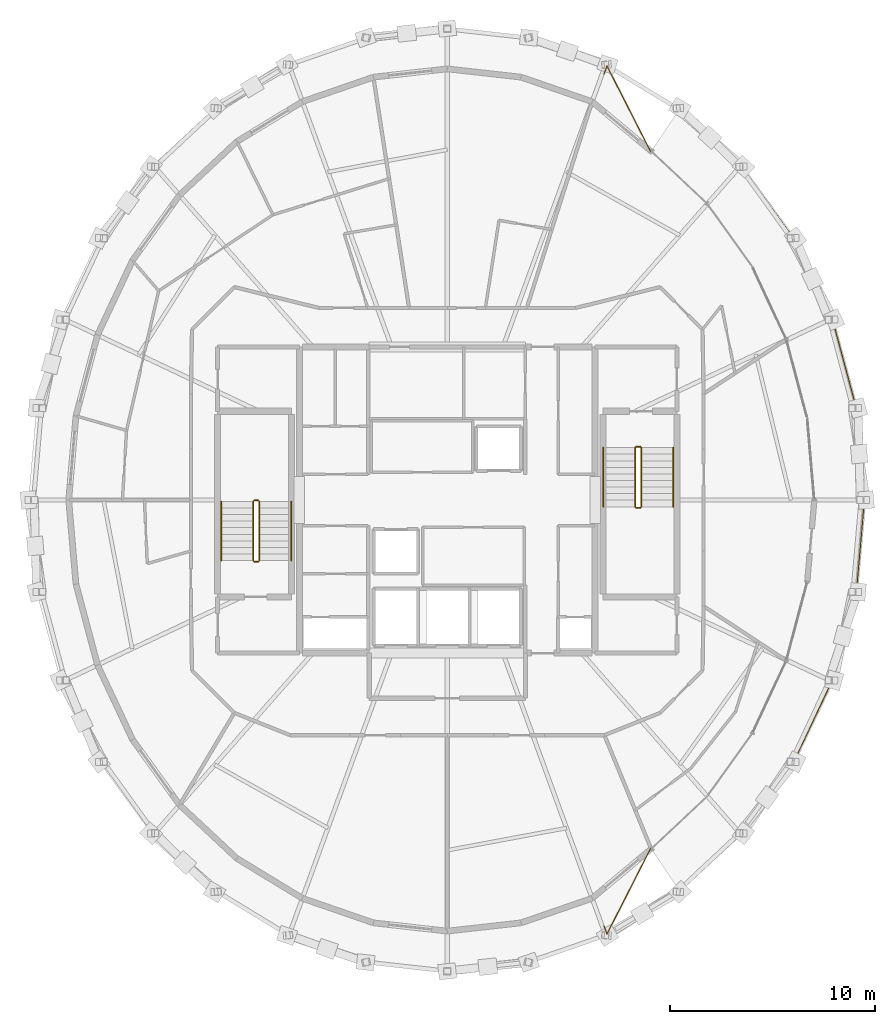
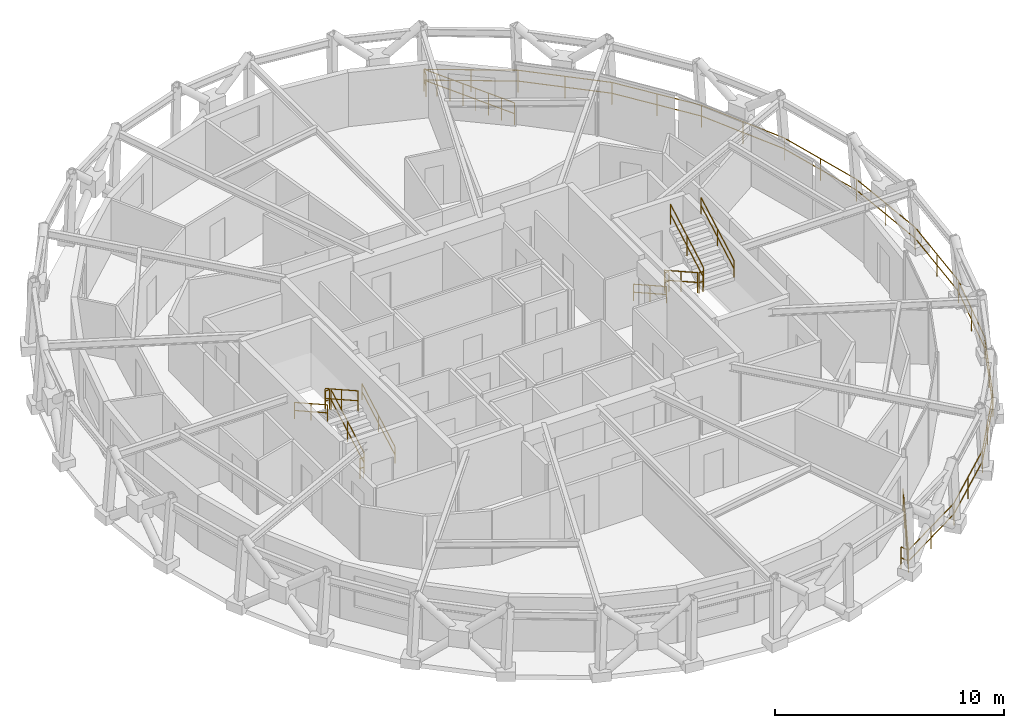
# One storey, part 16 of 16: 15 railings.
"""IFC4 building model written with IfcOpenShell, lengths in metres."""

from ifc_helpers import new_model, si_unit, direction, frame, origin, origin_2d, place, context, subcontext, project, spatial, circle, extrude, material, type_object, element, save


model = new_model("IFC4")

# Units and contexts
model_context = context("Model", 3, precision=1e-05, world=origin(), true_north=direction((0.0, 1.0)))
body_context = subcontext(model_context, "Body", "Model", "MODEL_VIEW")
ifc_project = project(units=[si_unit("LENGTHUNIT", "METRE"), si_unit("AREAUNIT", "SQUARE_METRE"), si_unit("VOLUMEUNIT", "CUBIC_METRE"), si_unit("PLANEANGLEUNIT", "RADIAN"), si_unit("MASSUNIT", "GRAM", prefix="KILO")], contexts=[model_context])

# Site, building, storey
site_placement = place(None, origin())
site = spatial("IfcSite", under=ifc_project, at=site_placement, CompositionType="ELEMENT")
building_placement = place(site_placement, origin())
building = spatial("IfcBuilding", under=site, at=building_placement, Name="Veldorina Hangang Commons", CompositionType="ELEMENT")
storey_placement = place(building_placement, frame((0.0, 0.0, 283.199951171875)))
storey = spatial("IfcBuildingStorey", under=building, at=storey_placement, Name="L74", CompositionType="ELEMENT", Elevation=283.199951171875)

# Railings
ifc_material_1 = material(Name="Glass Laminated Safety Balustrade", Category="glass")
railing_type_1 = type_object("IfcRailingType", Name="RL-BAL-LOGGIA", PredefinedType="BALUSTRADE", material=ifc_material_1)
railing_1_placement = place(storey_placement, frame((39.630126953125, 3.267578125, 0.0)))
element("IfcRailing", 1, at=railing_1_placement, inside=storey, type_object=railing_type_1, Name="L74 sky-garden loggia end balustrade A", PredefinedType="BALUSTRADE", context=body_context, shape_type="SweptSolid", body=[
    extrude(circle(Radius=0.02392578125, at=origin_2d()), frame((0.0, 0.0, 1.17578125), z_axis=(0.345381994725, -0.938462187688, 0.0), x_axis=(0.938462187688, 0.345381994725, 0.0)), (0.0, 0.0, 1.0), 0.419921875),
    extrude(circle(Radius=0.02392578125, at=origin_2d()), frame((0.0, 0.0, 0.60009765625), z_axis=(0.345381994725, -0.938462187688, 0.0), x_axis=(0.938462187688, 0.345381994725, 0.0)), (0.0, 0.0, 1.0), 0.419921875),
    extrude(circle(Radius=0.02392578125, at=origin_2d()), frame((0.14501953125, -0.39404296875, 1.17578125), z_axis=(0.454862398014, 0.890561732208, 0.0), x_axis=(-0.890561732208, 0.454862398014, 0.0)), (0.0, 0.0, 1.0), 4.6884765625),
    extrude(circle(Radius=0.02392578125, at=origin_2d()), frame((0.14501953125, -0.39404296875, 0.60009765625), z_axis=(0.454862398014, 0.890561732208, 0.0), x_axis=(-0.890561732208, 0.454862398014, 0.0)), (0.0, 0.0, 1.0), 4.6884765625),
    extrude(circle(Radius=0.02099609375, at=origin_2d()), origin(), (0.0, 0.0, 1.0), 1.15185546875),
    extrude(circle(Radius=0.02099609375, at=origin_2d()), frame((0.14501953125, -0.39404296875, 0.0)), (0.0, 0.0, 1.0), 1.15185546875),
    extrude(circle(Radius=0.02099609375, at=origin_2d()), frame((0.44970703125, 0.202392578125, 0.0)), (0.0, 0.0, 1.0), 1.15185546875),
    extrude(circle(Radius=0.02099609375, at=origin_2d()), frame((0.75439453125, 0.798828125, 0.0)), (0.0, 0.0, 1.0), 1.15185546875),
    extrude(circle(Radius=0.02099609375, at=origin_2d()), frame((1.05908203125, 1.395263671875, 0.0)), (0.0, 0.0, 1.0), 1.15185546875),
    extrude(circle(Radius=0.02099609375, at=origin_2d()), frame((1.363525390625, 1.991943359375, 0.0)), (0.0, 0.0, 1.0), 1.15185546875),
    extrude(circle(Radius=0.02099609375, at=origin_2d()), frame((1.668212890625, 2.58837890625, 0.0)), (0.0, 0.0, 1.0), 1.15185546875),
    extrude(circle(Radius=0.02099609375, at=origin_2d()), frame((1.972900390625, 3.184814453125, 0.0)), (0.0, 0.0, 1.0), 1.15185546875),
    extrude(circle(Radius=0.02099609375, at=origin_2d()), frame((2.277587890625, 3.78125, 0.0)), (0.0, 0.0, 1.0), 1.15185546875),
])
railing_2_placement = place(storey_placement, frame((39.630126953125, 44.732421875, 0.0)))
element("IfcRailing", 2, at=railing_2_placement, inside=storey, type_object=railing_type_1, Name="L74 sky-garden loggia end balustrade B", PredefinedType="BALUSTRADE", context=body_context, shape_type="SweptSolid", body=[
    extrude(circle(Radius=0.02392578125, at=origin_2d()), frame((0.0, 0.0, 1.17578125), z_axis=(0.345381994725, 0.938462187688, 0.0), x_axis=(-0.938462187688, 0.345381994725, 0.0)), (0.0, 0.0, 1.0), 0.419921875),
    extrude(circle(Radius=0.02392578125, at=origin_2d()), frame((0.0, 0.0, 0.60009765625), z_axis=(0.345381994725, 0.938462187688, 0.0), x_axis=(-0.938462187688, 0.345381994725, 0.0)), (0.0, 0.0, 1.0), 0.419921875),
    extrude(circle(Radius=0.02392578125, at=origin_2d()), frame((0.14501953125, 0.39404296875, 1.17578125), z_axis=(0.454862398014, -0.890561732208, 0.0), x_axis=(0.890561732208, 0.454862398014, 0.0)), (0.0, 0.0, 1.0), 4.6884765625),
    extrude(circle(Radius=0.02392578125, at=origin_2d()), frame((0.14501953125, 0.39404296875, 0.60009765625), z_axis=(0.454862398014, -0.890561732208, 0.0), x_axis=(0.890561732208, 0.454862398014, 0.0)), (0.0, 0.0, 1.0), 4.6884765625),
    extrude(circle(Radius=0.02099609375, at=origin_2d()), origin(), (0.0, 0.0, 1.0), 1.15185546875),
    extrude(circle(Radius=0.02099609375, at=origin_2d()), frame((0.14501953125, 0.39404296875, 0.0)), (0.0, 0.0, 1.0), 1.15185546875),
    extrude(circle(Radius=0.02099609375, at=origin_2d()), frame((0.44970703125, -0.202392578125, 0.0)), (0.0, 0.0, 1.0), 1.15185546875),
    extrude(circle(Radius=0.02099609375, at=origin_2d()), frame((0.75439453125, -0.798828125, 0.0)), (0.0, 0.0, 1.0), 1.15185546875),
    extrude(circle(Radius=0.02099609375, at=origin_2d()), frame((1.05908203125, -1.395263671875, 0.0)), (0.0, 0.0, 1.0), 1.15185546875),
    extrude(circle(Radius=0.02099609375, at=origin_2d()), frame((1.363525390625, -1.991943359375, 0.0)), (0.0, 0.0, 1.0), 1.15185546875),
    extrude(circle(Radius=0.02099609375, at=origin_2d()), frame((1.668212890625, -2.58837890625, 0.0)), (0.0, 0.0, 1.0), 1.15185546875),
    extrude(circle(Radius=0.02099609375, at=origin_2d()), frame((1.972900390625, -3.184814453125, 0.0)), (0.0, 0.0, 1.0), 1.15185546875),
    extrude(circle(Radius=0.02099609375, at=origin_2d()), frame((2.277587890625, -3.78125, 0.0)), (0.0, 0.0, 1.0), 1.15185546875),
])
railing_3_placement = place(storey_placement, frame((39.775146484375, 2.87353515625, 0.0)))
element("IfcRailing", 3, at=railing_3_placement, inside=storey, type_object=railing_type_1, Name="L74 sky-garden loggia outer balustrade", PredefinedType="BALUSTRADE", context=body_context, shape_type="SweptSolid", body=[
    extrude(circle(Radius=0.02392578125, at=origin_2d()), frame((0.0, 0.0, 1.17578125), z_axis=(0.856730003743, 0.515765160404, 0.0), x_axis=(-0.515765160404, 0.856730003743, 0.0)), (0.0, 0.0, 1.0), 4.099365234375),
    extrude(circle(Radius=0.02392578125, at=origin_2d()), frame((0.0, 0.0, 0.60009765625), z_axis=(0.856730003743, 0.515765160404, 0.0), x_axis=(-0.515765160404, 0.856730003743, 0.0)), (0.0, 0.0, 1.0), 4.099365234375),
    extrude(circle(Radius=0.02392578125, at=origin_2d()), frame((3.511962890625, 2.1142578125, 1.17578125), z_axis=(0.734291791588, 0.678833974405, 0.0), x_axis=(-0.678833974405, 0.734291791588, 0.0)), (0.0, 0.0, 1.0), 4.19091796875),
    extrude(circle(Radius=0.02392578125, at=origin_2d()), frame((3.511962890625, 2.1142578125, 0.60009765625), z_axis=(0.734291791588, 0.678833974405, 0.0), x_axis=(-0.678833974405, 0.734291791588, 0.0)), (0.0, 0.0, 1.0), 4.19091796875),
    extrude(circle(Radius=0.02392578125, at=origin_2d()), frame((6.58935546875, 4.959228515625, 1.17578125), z_axis=(0.588828263894, 0.808258173877, 0.0), x_axis=(-0.808258173877, 0.588828263894, 0.0)), (0.0, 0.0, 1.0), 4.2880859375),
    extrude(circle(Radius=0.02392578125, at=origin_2d()), frame((6.58935546875, 4.959228515625, 0.60009765625), z_axis=(0.588828263894, 0.808258173877, 0.0), x_axis=(-0.808258173877, 0.588828263894, 0.0)), (0.0, 0.0, 1.0), 4.2880859375),
    extrude(circle(Radius=0.02392578125, at=origin_2d()), frame((9.1142578125, 8.425048828125, 1.17578125), z_axis=(0.428683474351, 0.903454746414, 0.0), x_axis=(-0.903454746414, 0.428683474351, 0.0)), (0.0, 0.0, 1.0), 4.37548828125),
    extrude(circle(Radius=0.02392578125, at=origin_2d()), frame((9.1142578125, 8.425048828125, 0.60009765625), z_axis=(0.428683474351, 0.903454746414, 0.0), x_axis=(-0.903454746414, 0.428683474351, 0.0)), (0.0, 0.0, 1.0), 4.37548828125),
    extrude(circle(Radius=0.02392578125, at=origin_2d()), frame((10.989990234375, 12.378173828125, 1.17578125), z_axis=(0.25999515702, 0.965609920375, 0.0), x_axis=(-0.965609920375, 0.25999515702, 0.0)), (0.0, 0.0, 1.0), 4.441650390625),
    extrude(circle(Radius=0.02392578125, at=origin_2d()), frame((10.989990234375, 12.378173828125, 0.60009765625), z_axis=(0.25999515702, 0.965609920375, 0.0), x_axis=(-0.965609920375, 0.25999515702, 0.0)), (0.0, 0.0, 1.0), 4.441650390625),
    extrude(circle(Radius=0.02392578125, at=origin_2d()), frame((12.144775390625, 16.6669921875, 1.17578125), z_axis=(0.087097941862, 0.996199753324, 0.0), x_axis=(-0.996199753324, 0.087097941862, 0.0)), (0.0, 0.0, 1.0), 4.4765625),
    extrude(circle(Radius=0.02392578125, at=origin_2d()), frame((12.144775390625, 16.6669921875, 0.60009765625), z_axis=(0.087097941862, 0.996199753324, 0.0), x_axis=(-0.996199753324, 0.087097941862, 0.0)), (0.0, 0.0, 1.0), 4.4765625),
    extrude(circle(Radius=0.02392578125, at=origin_2d()), frame((12.53466796875, 21.12646484375, 1.17578125), z_axis=(-0.087097941862, 0.996199753324, 0.0), x_axis=(-0.996199753324, -0.087097941862, 0.0)), (0.0, 0.0, 1.0), 4.4765625),
    extrude(circle(Radius=0.02392578125, at=origin_2d()), frame((12.53466796875, 21.12646484375, 0.60009765625), z_axis=(-0.087097941862, 0.996199753324, 0.0), x_axis=(-0.996199753324, -0.087097941862, 0.0)), (0.0, 0.0, 1.0), 4.4765625),
    extrude(circle(Radius=0.02392578125, at=origin_2d()), frame((12.144775390625, 25.5859375, 1.17578125), z_axis=(-0.25999515702, 0.965609920375, 0.0), x_axis=(-0.965609920375, -0.25999515702, 0.0)), (0.0, 0.0, 1.0), 4.441650390625),
    extrude(circle(Radius=0.02392578125, at=origin_2d()), frame((12.144775390625, 25.5859375, 0.60009765625), z_axis=(-0.25999515702, 0.965609920375, 0.0), x_axis=(-0.965609920375, -0.25999515702, 0.0)), (0.0, 0.0, 1.0), 4.441650390625),
    extrude(circle(Radius=0.02392578125, at=origin_2d()), frame((10.989990234375, 29.874755859375, 1.17578125), z_axis=(-0.428683474351, 0.903454746414, 0.0), x_axis=(-0.903454746414, -0.428683474351, 0.0)), (0.0, 0.0, 1.0), 4.37548828125),
    extrude(circle(Radius=0.02392578125, at=origin_2d()), frame((10.989990234375, 29.874755859375, 0.60009765625), z_axis=(-0.428683474351, 0.903454746414, 0.0), x_axis=(-0.903454746414, -0.428683474351, 0.0)), (0.0, 0.0, 1.0), 4.37548828125),
    extrude(circle(Radius=0.02392578125, at=origin_2d()), frame((9.1142578125, 33.827880859375, 1.17578125), z_axis=(-0.588828263894, 0.808258173877, 0.0), x_axis=(-0.808258173877, -0.588828263894, 0.0)), (0.0, 0.0, 1.0), 4.2880859375),
    extrude(circle(Radius=0.02392578125, at=origin_2d()), frame((9.1142578125, 33.827880859375, 0.60009765625), z_axis=(-0.588828263894, 0.808258173877, 0.0), x_axis=(-0.808258173877, -0.588828263894, 0.0)), (0.0, 0.0, 1.0), 4.2880859375),
    extrude(circle(Radius=0.02392578125, at=origin_2d()), frame((6.58935546875, 37.293701171875, 1.17578125), z_axis=(-0.734291791588, 0.678833974405, 0.0), x_axis=(-0.678833974405, -0.734291791588, 0.0)), (0.0, 0.0, 1.0), 4.19091796875),
    extrude(circle(Radius=0.02392578125, at=origin_2d()), frame((6.58935546875, 37.293701171875, 0.60009765625), z_axis=(-0.734291791588, 0.678833974405, 0.0), x_axis=(-0.678833974405, -0.734291791588, 0.0)), (0.0, 0.0, 1.0), 4.19091796875),
    extrude(circle(Radius=0.02392578125, at=origin_2d()), frame((3.511962890625, 40.138671875, 1.17578125), z_axis=(-0.856730003743, 0.515765160404, 0.0), x_axis=(-0.515765160404, -0.856730003743, 0.0)), (0.0, 0.0, 1.0), 4.099365234375),
    extrude(circle(Radius=0.02392578125, at=origin_2d()), frame((3.511962890625, 40.138671875, 0.60009765625), z_axis=(-0.856730003743, 0.515765160404, 0.0), x_axis=(-0.515765160404, -0.856730003743, 0.0)), (0.0, 0.0, 1.0), 4.099365234375),
    extrude(circle(Radius=0.02099609375, at=origin_2d()), origin(), (0.0, 0.0, 1.0), 1.15185546875),
    extrude(circle(Radius=0.02099609375, at=origin_2d()), frame((1.755859375, 1.05712890625, 0.0)), (0.0, 0.0, 1.0), 1.15185546875),
    extrude(circle(Radius=0.02099609375, at=origin_2d()), frame((3.511962890625, 2.1142578125, 0.0)), (0.0, 0.0, 1.0), 1.15185546875),
    extrude(circle(Radius=0.02099609375, at=origin_2d()), frame((5.05078125, 3.53662109375, 0.0)), (0.0, 0.0, 1.0), 1.15185546875),
    extrude(circle(Radius=0.02099609375, at=origin_2d()), frame((6.58935546875, 4.959228515625, 0.0)), (0.0, 0.0, 1.0), 1.15185546875),
    extrude(circle(Radius=0.02099609375, at=origin_2d()), frame((7.851806640625, 6.692138671875, 0.0)), (0.0, 0.0, 1.0), 1.15185546875),
    extrude(circle(Radius=0.02099609375, at=origin_2d()), frame((9.1142578125, 8.425048828125, 0.0)), (0.0, 0.0, 1.0), 1.15185546875),
    extrude(circle(Radius=0.02099609375, at=origin_2d()), frame((10.05224609375, 10.401611328125, 0.0)), (0.0, 0.0, 1.0), 1.15185546875),
    extrude(circle(Radius=0.02099609375, at=origin_2d()), frame((10.989990234375, 12.378173828125, 0.0)), (0.0, 0.0, 1.0), 1.15185546875),
    extrude(circle(Radius=0.02099609375, at=origin_2d()), frame((11.5673828125, 14.5224609375, 0.0)), (0.0, 0.0, 1.0), 1.15185546875),
    extrude(circle(Radius=0.02099609375, at=origin_2d()), frame((12.144775390625, 16.6669921875, 0.0)), (0.0, 0.0, 1.0), 1.15185546875),
    extrude(circle(Radius=0.02099609375, at=origin_2d()), frame((12.33984375, 18.896728515625, 0.0)), (0.0, 0.0, 1.0), 1.15185546875),
    extrude(circle(Radius=0.02099609375, at=origin_2d()), frame((12.53466796875, 21.12646484375, 0.0)), (0.0, 0.0, 1.0), 1.15185546875),
    extrude(circle(Radius=0.02099609375, at=origin_2d()), frame((12.33984375, 23.356201171875, 0.0)), (0.0, 0.0, 1.0), 1.15185546875),
    extrude(circle(Radius=0.02099609375, at=origin_2d()), frame((12.144775390625, 25.5859375, 0.0)), (0.0, 0.0, 1.0), 1.15185546875),
    extrude(circle(Radius=0.02099609375, at=origin_2d()), frame((11.5673828125, 27.73046875, 0.0)), (0.0, 0.0, 1.0), 1.15185546875),
    extrude(circle(Radius=0.02099609375, at=origin_2d()), frame((10.989990234375, 29.874755859375, 0.0)), (0.0, 0.0, 1.0), 1.15185546875),
    extrude(circle(Radius=0.02099609375, at=origin_2d()), frame((10.05224609375, 31.851318359375, 0.0)), (0.0, 0.0, 1.0), 1.15185546875),
    extrude(circle(Radius=0.02099609375, at=origin_2d()), frame((9.1142578125, 33.827880859375, 0.0)), (0.0, 0.0, 1.0), 1.15185546875),
    extrude(circle(Radius=0.02099609375, at=origin_2d()), frame((7.851806640625, 35.560791015625, 0.0)), (0.0, 0.0, 1.0), 1.15185546875),
    extrude(circle(Radius=0.02099609375, at=origin_2d()), frame((6.58935546875, 37.293701171875, 0.0)), (0.0, 0.0, 1.0), 1.15185546875),
    extrude(circle(Radius=0.02099609375, at=origin_2d()), frame((5.05078125, 38.71630859375, 0.0)), (0.0, 0.0, 1.0), 1.15185546875),
    extrude(circle(Radius=0.02099609375, at=origin_2d()), frame((3.511962890625, 40.138671875, 0.0)), (0.0, 0.0, 1.0), 1.15185546875),
    extrude(circle(Radius=0.02099609375, at=origin_2d()), frame((1.755859375, 41.19580078125, 0.0)), (0.0, 0.0, 1.0), 1.15185546875),
    extrude(circle(Radius=0.02099609375, at=origin_2d()), frame((0.0, 42.2529296875, 0.0)), (0.0, 0.0, 1.0), 1.15185546875),
])
ifc_material_2 = material(Name="Steel Painted Balustrade", Category="steel")
railing_type_2 = type_object("IfcRailingType", Name="RL-GRD-STAIR", PredefinedType="GUARDRAIL", material=ifc_material_2)
railing_4_placement = place(storey_placement, frame((22.85009765625, 21.050048828125, 0.179931640625)))
element("IfcRailing", 4, at=railing_4_placement, inside=storey, type_object=railing_type_2, Name="L74 ST-1 stair guard 1", PredefinedType="GUARDRAIL", context=body_context, shape_type="SweptSolid", body=[
    extrude(circle(Radius=0.02392578125, at=origin_2d()), frame((0.0, 0.0, 1.076171875), z_axis=(0.0, 0.87155185771, 0.490303333991), x_axis=(-1.0, 0.0, 0.0)), (0.0, 0.0, 1.0), 3.30419921875),
    extrude(circle(Radius=0.02392578125, at=origin_2d()), frame((0.0, 0.0, 0.550048828125), z_axis=(0.0, 0.87155185771, 0.490303333991), x_axis=(-1.0, 0.0, 0.0)), (0.0, 0.0, 1.0), 3.30419921875),
    extrude(circle(Radius=0.02099609375, at=origin_2d()), origin(), (0.0, 0.0, 1.0), 1.052001953125),
    extrude(circle(Radius=0.02099609375, at=origin_2d()), frame((0.0, 1.43994140625, 0.81005859375)), (0.0, 0.0, 1.0), 1.052001953125),
    extrude(circle(Radius=0.02099609375, at=origin_2d()), frame((0.0, 2.8798828125, 1.6201171875)), (0.0, 0.0, 1.0), 1.052001953125),
])
railing_5_placement = place(storey_placement, frame((22.800048828125, 23.97998046875, 1.800048828125)))
element("IfcRailing", 5, at=railing_5_placement, inside=storey, type_object=railing_type_2, Name="L74 ST-1 stair guard 2", PredefinedType="GUARDRAIL", context=body_context, shape_type="SweptSolid", body=[
    extrude(circle(Radius=0.02392578125, at=origin_2d()), frame((0.0, 0.0, 1.076171875), z_axis=(-1.0, 0.0, 0.0), x_axis=(0.0, -1.0, 0.0)), (0.0, 0.0, 1.0), 0.199951171875),
    extrude(circle(Radius=0.02392578125, at=origin_2d()), frame((0.0, 0.0, 0.550048828125), z_axis=(-1.0, 0.0, 0.0), x_axis=(0.0, -1.0, 0.0)), (0.0, 0.0, 1.0), 0.199951171875),
    extrude(circle(Radius=0.02099609375, at=origin_2d()), origin(), (0.0, 0.0, 1.0), 1.052001953125),
    extrude(circle(Radius=0.02099609375, at=origin_2d()), frame((-0.199951171875, 0.0, 0.0)), (0.0, 0.0, 1.0), 1.052001953125),
])
railing_6_placement = place(storey_placement, frame((22.550048828125, 23.929931640625, 1.97998046875)))
element("IfcRailing", 6, at=railing_6_placement, inside=storey, type_object=railing_type_2, Name="L74 ST-1 stair guard 3", PredefinedType="GUARDRAIL", context=body_context, shape_type="SweptSolid", body=[
    extrude(circle(Radius=0.02392578125, at=origin_2d()), frame((0.0, 0.0, 1.076171875), z_axis=(0.0, -0.87155185771, 0.490303333991), x_axis=(1.0, 0.0, 0.0)), (0.0, 0.0, 1.0), 3.30419921875),
    extrude(circle(Radius=0.02392578125, at=origin_2d()), frame((0.0, 0.0, 0.550048828125), z_axis=(0.0, -0.87155185771, 0.490303333991), x_axis=(1.0, 0.0, 0.0)), (0.0, 0.0, 1.0), 3.30419921875),
    extrude(circle(Radius=0.02099609375, at=origin_2d()), origin(), (0.0, 0.0, 1.0), 1.052001953125),
    extrude(circle(Radius=0.02099609375, at=origin_2d()), frame((0.0, -1.43994140625, 0.81005859375)), (0.0, 0.0, 1.0), 1.052001953125),
    extrude(circle(Radius=0.02099609375, at=origin_2d()), frame((0.0, -2.8798828125, 1.6201171875)), (0.0, 0.0, 1.0), 1.052001953125),
])
railing_7_placement = place(storey_placement, frame((22.800048828125, 21.0, 0.0)))
element("IfcRailing", 7, at=railing_7_placement, inside=storey, type_object=railing_type_2, Name="L74 ST-1 stair guard 4", PredefinedType="GUARDRAIL", context=body_context, shape_type="SweptSolid", body=[
    extrude(circle(Radius=0.02392578125, at=origin_2d()), frame((0.0, 0.0, 1.076171875), z_axis=(-1.0, 0.0, 0.0), x_axis=(0.0, -1.0, 0.0)), (0.0, 0.0, 1.0), 0.199951171875),
    extrude(circle(Radius=0.02392578125, at=origin_2d()), frame((0.0, 0.0, 0.550048828125), z_axis=(-1.0, 0.0, 0.0), x_axis=(0.0, -1.0, 0.0)), (0.0, 0.0, 1.0), 0.199951171875),
    extrude(circle(Radius=0.02099609375, at=origin_2d()), origin(), (0.0, 0.0, 1.0), 1.052001953125),
    extrude(circle(Radius=0.02099609375, at=origin_2d()), frame((-0.199951171875, 0.0, 0.0)), (0.0, 0.0, 1.0), 1.052001953125),
])
railing_8_placement = place(storey_placement, frame((41.14990234375, 26.550048828125, 0.179931640625)))
element("IfcRailing", 8, at=railing_8_placement, inside=storey, type_object=railing_type_2, Name="L74 ST-2 stair guard 1", PredefinedType="GUARDRAIL", context=body_context, shape_type="SweptSolid", body=[
    extrude(circle(Radius=0.02392578125, at=origin_2d()), frame((0.0, 0.0, 1.076171875), z_axis=(0.0, -0.871569617843, 0.490271762652), x_axis=(1.0, 0.0, 0.0)), (0.0, 0.0, 1.0), 3.304443359375),
    extrude(circle(Radius=0.02392578125, at=origin_2d()), frame((0.0, 0.0, 0.550048828125), z_axis=(0.0, -0.871569617843, 0.490271762652), x_axis=(1.0, 0.0, 0.0)), (0.0, 0.0, 1.0), 3.304443359375),
    extrude(circle(Radius=0.02099609375, at=origin_2d()), origin(), (0.0, 0.0, 1.0), 1.052001953125),
    extrude(circle(Radius=0.02099609375, at=origin_2d()), frame((0.0, -1.43994140625, 0.81005859375)), (0.0, 0.0, 1.0), 1.052001953125),
    extrude(circle(Radius=0.02099609375, at=origin_2d()), frame((0.0, -2.880126953125, 1.6201171875)), (0.0, 0.0, 1.0), 1.052001953125),
])
railing_9_placement = place(storey_placement, frame((41.199951171875, 23.6201171875, 1.800048828125)))
element("IfcRailing", 9, at=railing_9_placement, inside=storey, type_object=railing_type_2, Name="L74 ST-2 stair guard 2", PredefinedType="GUARDRAIL", context=body_context, shape_type="SweptSolid", body=[
    extrude(circle(Radius=0.02392578125, at=origin_2d()), frame((0.0, 0.0, 1.076171875), z_axis=(1.0, 0.0, 0.0), x_axis=(0.0, 1.0, 0.0)), (0.0, 0.0, 1.0), 0.199951171875),
    extrude(circle(Radius=0.02392578125, at=origin_2d()), frame((0.0, 0.0, 0.550048828125), z_axis=(1.0, 0.0, 0.0), x_axis=(0.0, 1.0, 0.0)), (0.0, 0.0, 1.0), 0.199951171875),
    extrude(circle(Radius=0.02099609375, at=origin_2d()), origin(), (0.0, 0.0, 1.0), 1.052001953125),
    extrude(circle(Radius=0.02099609375, at=origin_2d()), frame((0.199951171875, 0.0, 0.0)), (0.0, 0.0, 1.0), 1.052001953125),
])
railing_10_placement = place(storey_placement, frame((41.449951171875, 23.669921875, 1.97998046875)))
element("IfcRailing", 10, at=railing_10_placement, inside=storey, type_object=railing_type_2, Name="L74 ST-2 stair guard 3", PredefinedType="GUARDRAIL", context=body_context, shape_type="SweptSolid", body=[
    extrude(circle(Radius=0.02392578125, at=origin_2d()), frame((0.0, 0.0, 1.076171875), z_axis=(0.0, 0.871569617843, 0.490271762652), x_axis=(-1.0, 0.0, 0.0)), (0.0, 0.0, 1.0), 3.304443359375),
    extrude(circle(Radius=0.02392578125, at=origin_2d()), frame((0.0, 0.0, 0.550048828125), z_axis=(0.0, 0.871569617843, 0.490271762652), x_axis=(-1.0, 0.0, 0.0)), (0.0, 0.0, 1.0), 3.304443359375),
    extrude(circle(Radius=0.02099609375, at=origin_2d()), origin(), (0.0, 0.0, 1.0), 1.052001953125),
    extrude(circle(Radius=0.02099609375, at=origin_2d()), frame((0.0, 1.43994140625, 0.81005859375)), (0.0, 0.0, 1.0), 1.052001953125),
    extrude(circle(Radius=0.02099609375, at=origin_2d()), frame((0.0, 2.880126953125, 1.6201171875)), (0.0, 0.0, 1.0), 1.052001953125),
])
railing_11_placement = place(storey_placement, frame((41.199951171875, 26.60009765625, 0.0)))
element("IfcRailing", 11, at=railing_11_placement, inside=storey, type_object=railing_type_2, Name="L74 ST-2 stair guard 4", PredefinedType="GUARDRAIL", context=body_context, shape_type="SweptSolid", body=[
    extrude(circle(Radius=0.02392578125, at=origin_2d()), frame((0.0, 0.0, 1.076171875), z_axis=(1.0, 0.0, 0.0), x_axis=(0.0, 1.0, 0.0)), (0.0, 0.0, 1.0), 0.199951171875),
    extrude(circle(Radius=0.02392578125, at=origin_2d()), frame((0.0, 0.0, 0.550048828125), z_axis=(1.0, 0.0, 0.0), x_axis=(0.0, 1.0, 0.0)), (0.0, 0.0, 1.0), 0.199951171875),
    extrude(circle(Radius=0.02099609375, at=origin_2d()), origin(), (0.0, 0.0, 1.0), 1.052001953125),
    extrude(circle(Radius=0.02099609375, at=origin_2d()), frame((0.199951171875, 0.0, 0.0)), (0.0, 0.0, 1.0), 1.052001953125),
])
ifc_material_3 = material(Name="Stainless Steel Brushed 316", Category="steel")
railing_type_3 = type_object("IfcRailingType", Name="RL-HND-STAIR", PredefinedType="HANDRAIL", material=ifc_material_3)
railing_12_placement = place(storey_placement, frame((24.39990234375, 21.050048828125, 0.179931640625)))
element("IfcRailing", 12, at=railing_12_placement, inside=storey, type_object=railing_type_3, Name="L74 ST-1 stair handrail 1", PredefinedType="HANDRAIL", context=body_context, shape_type="SweptSolid", body=[
    extrude(circle(Radius=0.02392578125, at=origin_2d()), frame((0.0, 0.0, 0.8759765625), z_axis=(0.0, 0.87155185771, 0.490303333991), x_axis=(-1.0, 0.0, 0.0)), (0.0, 0.0, 1.0), 3.30419921875),
    extrude(circle(Radius=0.02392578125, at=origin_2d()), frame((0.0, 0.0, 0.449951171875), z_axis=(0.0, 0.87155185771, 0.490303333991), x_axis=(-1.0, 0.0, 0.0)), (0.0, 0.0, 1.0), 3.30419921875),
    extrude(circle(Radius=0.02099609375, at=origin_2d()), origin(), (0.0, 0.0, 1.0), 0.851806640625),
    extrude(circle(Radius=0.02099609375, at=origin_2d()), frame((0.0, 1.43994140625, 0.81005859375)), (0.0, 0.0, 1.0), 0.851806640625),
    extrude(circle(Radius=0.02099609375, at=origin_2d()), frame((0.0, 2.8798828125, 1.6201171875)), (0.0, 0.0, 1.0), 0.851806640625),
])
railing_13_placement = place(storey_placement, frame((21.0, 23.929931640625, 1.97998046875)))
element("IfcRailing", 13, at=railing_13_placement, inside=storey, type_object=railing_type_3, Name="L74 ST-1 stair handrail 2", PredefinedType="HANDRAIL", context=body_context, shape_type="SweptSolid", body=[
    extrude(circle(Radius=0.02392578125, at=origin_2d()), frame((0.0, 0.0, 0.8759765625), z_axis=(0.0, -0.87155185771, 0.490303333991), x_axis=(1.0, 0.0, 0.0)), (0.0, 0.0, 1.0), 3.30419921875),
    extrude(circle(Radius=0.02392578125, at=origin_2d()), frame((0.0, 0.0, 0.449951171875), z_axis=(0.0, -0.87155185771, 0.490303333991), x_axis=(1.0, 0.0, 0.0)), (0.0, 0.0, 1.0), 3.30419921875),
    extrude(circle(Radius=0.02099609375, at=origin_2d()), origin(), (0.0, 0.0, 1.0), 0.851806640625),
    extrude(circle(Radius=0.02099609375, at=origin_2d()), frame((0.0, -1.43994140625, 0.81005859375)), (0.0, 0.0, 1.0), 0.851806640625),
    extrude(circle(Radius=0.02099609375, at=origin_2d()), frame((0.0, -2.8798828125, 1.6201171875)), (0.0, 0.0, 1.0), 0.851806640625),
])
railing_14_placement = place(storey_placement, frame((39.60009765625, 26.550048828125, 0.179931640625)))
element("IfcRailing", 14, at=railing_14_placement, inside=storey, type_object=railing_type_3, Name="L74 ST-2 stair handrail 1", PredefinedType="HANDRAIL", context=body_context, shape_type="SweptSolid", body=[
    extrude(circle(Radius=0.02392578125, at=origin_2d()), frame((0.0, 0.0, 0.8759765625), z_axis=(0.0, -0.871569617843, 0.490271762652), x_axis=(1.0, 0.0, 0.0)), (0.0, 0.0, 1.0), 3.304443359375),
    extrude(circle(Radius=0.02392578125, at=origin_2d()), frame((0.0, 0.0, 0.449951171875), z_axis=(0.0, -0.871569617843, 0.490271762652), x_axis=(1.0, 0.0, 0.0)), (0.0, 0.0, 1.0), 3.304443359375),
    extrude(circle(Radius=0.02099609375, at=origin_2d()), origin(), (0.0, 0.0, 1.0), 0.851806640625),
    extrude(circle(Radius=0.02099609375, at=origin_2d()), frame((0.0, -1.43994140625, 0.81005859375)), (0.0, 0.0, 1.0), 0.851806640625),
    extrude(circle(Radius=0.02099609375, at=origin_2d()), frame((0.0, -2.880126953125, 1.6201171875)), (0.0, 0.0, 1.0), 0.851806640625),
])
railing_15_placement = place(storey_placement, frame((43.0, 23.669921875, 1.97998046875)))
element("IfcRailing", 15, at=railing_15_placement, inside=storey, type_object=railing_type_3, Name="L74 ST-2 stair handrail 2", PredefinedType="HANDRAIL", context=body_context, shape_type="SweptSolid", body=[
    extrude(circle(Radius=0.02392578125, at=origin_2d()), frame((0.0, 0.0, 0.8759765625), z_axis=(0.0, 0.871569617843, 0.490271762652), x_axis=(-1.0, 0.0, 0.0)), (0.0, 0.0, 1.0), 3.304443359375),
    extrude(circle(Radius=0.02392578125, at=origin_2d()), frame((0.0, 0.0, 0.449951171875), z_axis=(0.0, 0.871569617843, 0.490271762652), x_axis=(-1.0, 0.0, 0.0)), (0.0, 0.0, 1.0), 3.304443359375),
    extrude(circle(Radius=0.02099609375, at=origin_2d()), origin(), (0.0, 0.0, 1.0), 0.851806640625),
    extrude(circle(Radius=0.02099609375, at=origin_2d()), frame((0.0, 1.43994140625, 0.81005859375)), (0.0, 0.0, 1.0), 0.851806640625),
    extrude(circle(Radius=0.02099609375, at=origin_2d()), frame((0.0, 2.880126953125, 1.6201171875)), (0.0, 0.0, 1.0), 0.851806640625),
])

save(model, "model.ifc")
